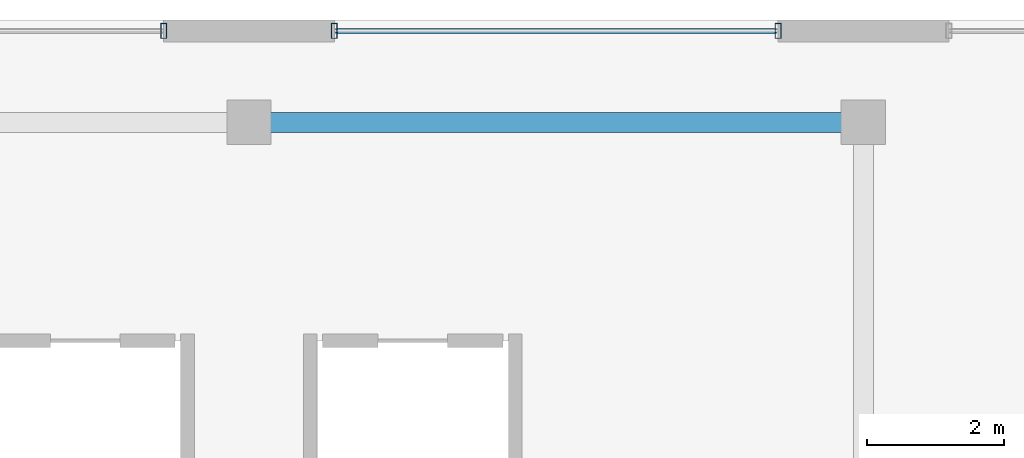
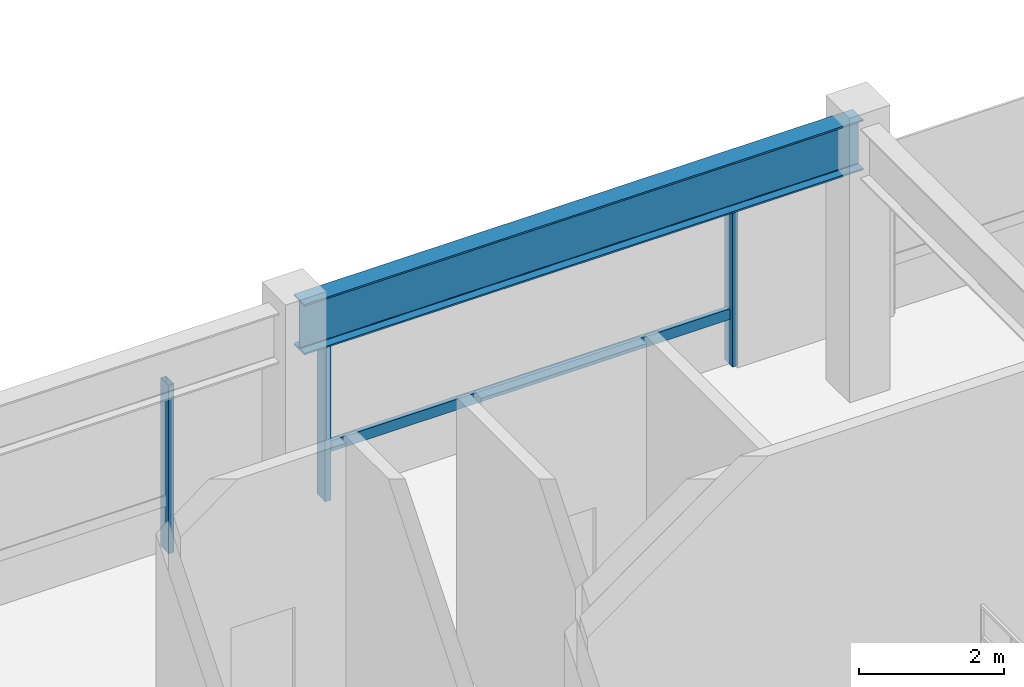
# One storey, part 7 of 25: 4 members, 1 beam, 2 elements without a shape of their own.
"""IFC4 building model written with IfcOpenShell, lengths in metres."""

from ifc_helpers import new_model, si_unit, direction, frame, origin, origin_2d, place, context, subcontext, project, spatial, hollow_rectangle, i_section, extrude, material, material_profile, profile_set, type_object, element, aggregate, save


model = new_model("IFC4")

# Units and contexts
model_context = context("Model", 3, precision=1e-05, world=origin(), true_north=direction((0.0, 1.0)))
body_context = subcontext(model_context, "Body", "Model", "MODEL_VIEW")
ifc_project = project(units=[si_unit("LENGTHUNIT", "METRE"), si_unit("AREAUNIT", "SQUARE_METRE"), si_unit("VOLUMEUNIT", "CUBIC_METRE"), si_unit("PLANEANGLEUNIT", "RADIAN"), si_unit("MASSUNIT", "GRAM", prefix="KILO")], contexts=[model_context])

# Site, building, storey
site_placement = place(None, origin())
site = spatial("IfcSite", under=ifc_project, at=site_placement, CompositionType="ELEMENT")
building_placement = place(site_placement, origin())
building = spatial("IfcBuilding", under=site, at=building_placement, Name="Thornwick Lancets Civic Towers", CompositionType="ELEMENT")
storey_placement = place(building_placement, frame((0.0, 0.0, 23.10009765625)))
storey = spatial("IfcBuildingStorey", under=building, at=storey_placement, Name="L05", CompositionType="ELEMENT", Elevation=23.10009765625)

# Beam
ifc_material_1 = material(Name="Steel S355JR", Category="steel")
ifc_material_profile_1 = material_profile(ifc_material_1, i_section(OverallWidth=0.293701171875, OverallDepth=0.850830078125, WebThickness=0.01611328125, FlangeThickness=0.02685546875, FilletRadius=0.017822265625, at=origin_2d()), Name="UKB 838x292x226")
ifc_profile_set_1 = profile_set([ifc_material_profile_1], Name="Steel S355JR")
beam_type = type_object("IfcBeamType", Name="BM_POD_838_226", PredefinedType="BEAM", material=ifc_profile_set_1)
beam_placement = place(storey_placement, frame((57.080078125, 48.0, 4.134521484375), z_axis=(1.0, 0.0, 0.0), x_axis=(0.0, 1.0, 0.0)))
element("IfcBeam", 1, at=beam_placement, inside=storey, type_object=beam_type, Name="BM-PODG-L05-12-13", PredefinedType="BEAM", context=body_context, shape_type="SweptSolid", body=[
    extrude(i_section(OverallWidth=0.293701171875, OverallDepth=0.850830078125, WebThickness=0.01611328125, FlangeThickness=0.02685546875, FilletRadius=0.017822265625, at=origin_2d()), origin(), (0.0, 0.0, 1.0), 8.919921875),
])

# Curtain wall, members
ifc_material_2 = material(Name="Terracotta-trimmed cascading podium ribbon curtain wall", Category="masonry")
curtain_wall_type = type_object("IfcCurtainWallType", Name="CW_SYS_02", PredefinedType="NOTDEFINED", material=ifc_material_2)
curtain_wall_1_placement = place(storey_placement, origin())
curtain_wall_1 = element("IfcCurtainWall", 2, at=curtain_wall_1_placement, inside=storey, type_object=curtain_wall_type, Name="L05 Curtain Wall CW-L05-POD-NC-S2", PredefinedType="NOTDEFINED")
ifc_material_3 = material(Name="Thermally broken bronze aluminium S355", Category="steel")
ifc_material_profile_2 = material_profile(ifc_material_3, hollow_rectangle(XDim=0.090087890625, YDim=0.219970703125, WallThickness=0.00634765625, at=origin_2d()), Name="RHS 220x90x6.3")
ifc_profile_set_2 = profile_set([ifc_material_profile_2], Name="Thermally broken bronze aluminium S355")
member_type_1 = type_object("IfcMemberType", Name="CW_MUL_220", PredefinedType="MULLION", material=ifc_profile_set_2)
member_1_placement = place(storey_placement, frame((64.75, 49.340087890625, 0.0), z_axis=(0.0, 0.0, 1.0), x_axis=(1.0, 0.0, 0.0)))
member_1 = element("IfcMember", 3, at=member_1_placement, type_object=member_type_1, Name="CW-L05-POD-NC-S2 Mullion 0", PredefinedType="MULLION", context=body_context, shape_type="SweptSolid", body=[
    extrude(hollow_rectangle(XDim=0.090087890625, YDim=0.219970703125, WallThickness=0.00634765625, at=origin_2d()), origin(), (0.0, 0.0, 1.0), 2.83984375),
])
member_2_placement = place(storey_placement, frame((58.25, 49.340087890625, 0.0), z_axis=(0.0, 0.0, 1.0), x_axis=(1.0, 0.0, 0.0)))
member_2 = element("IfcMember", 4, at=member_2_placement, type_object=member_type_1, Name="CW-L05-POD-NC-S2 Mullion 1", PredefinedType="MULLION", context=body_context, shape_type="SweptSolid", body=[
    extrude(hollow_rectangle(XDim=0.090087890625, YDim=0.219970703125, WallThickness=0.00634765625, at=origin_2d()), origin(), (0.0, 0.0, 1.0), 2.83984375),
])

# Curtain wall, member
curtain_wall_2_placement = place(storey_placement, origin())
curtain_wall_2 = element("IfcCurtainWall", 5, at=curtain_wall_2_placement, inside=storey, type_object=curtain_wall_type, Name="L05 Curtain Wall CW-L05-POD-NC-S3", PredefinedType="NOTDEFINED")
member_3_placement = place(storey_placement, frame((55.75, 49.340087890625, 0.0), z_axis=(0.0, 0.0, 1.0), x_axis=(1.0, 0.0, 0.0)))
member_3 = element("IfcMember", 6, at=member_3_placement, type_object=member_type_1, Name="CW-L05-POD-NC-S3 Mullion 0", PredefinedType="MULLION", context=body_context, shape_type="SweptSolid", body=[
    extrude(hollow_rectangle(XDim=0.090087890625, YDim=0.219970703125, WallThickness=0.00634765625, at=origin_2d()), origin(), (0.0, 0.0, 1.0), 2.83984375),
])
aggregate(curtain_wall_2, [member_3])

# Member
ifc_material_profile_3 = material_profile(ifc_material_3, hollow_rectangle(XDim=0.074951171875, YDim=0.179931640625, WallThickness=0.006103515625, at=origin_2d()), Name="RHS 180x75x6")
ifc_profile_set_3 = profile_set([ifc_material_profile_3], Name="Thermally broken bronze aluminium S355")
member_type_2 = type_object("IfcMemberType", Name="CW_TRN_180", PredefinedType="USERDEFINED", material=ifc_profile_set_3)
member_4_placement = place(storey_placement, frame((64.72998046875, 49.340087890625, 0.849853515625), z_axis=(-1.0, 0.0, 0.0), x_axis=(0.0, -1.0, 0.0)))
member_4 = element("IfcMember", 7, at=member_4_placement, type_object=member_type_2, Name="CW-L05-POD-NC-S2 Transom 0", ObjectType="TRANSOM", PredefinedType="USERDEFINED", context=body_context, shape_type="SweptSolid", body=[
    extrude(hollow_rectangle(XDim=0.074951171875, YDim=0.179931640625, WallThickness=0.006103515625, at=origin_2d()), origin(), (0.0, 0.0, 1.0), 6.4599609375),
])

aggregate(curtain_wall_1, [member_1, member_2, member_4])

save(model, "model.ifc")
